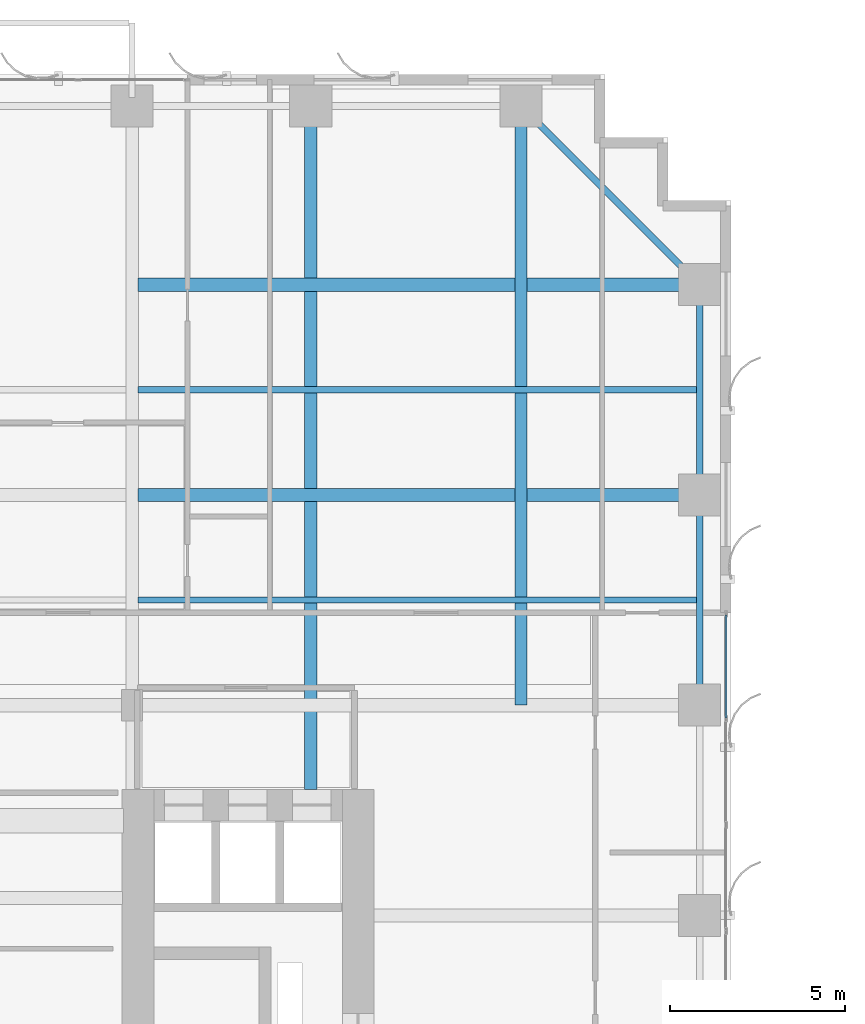
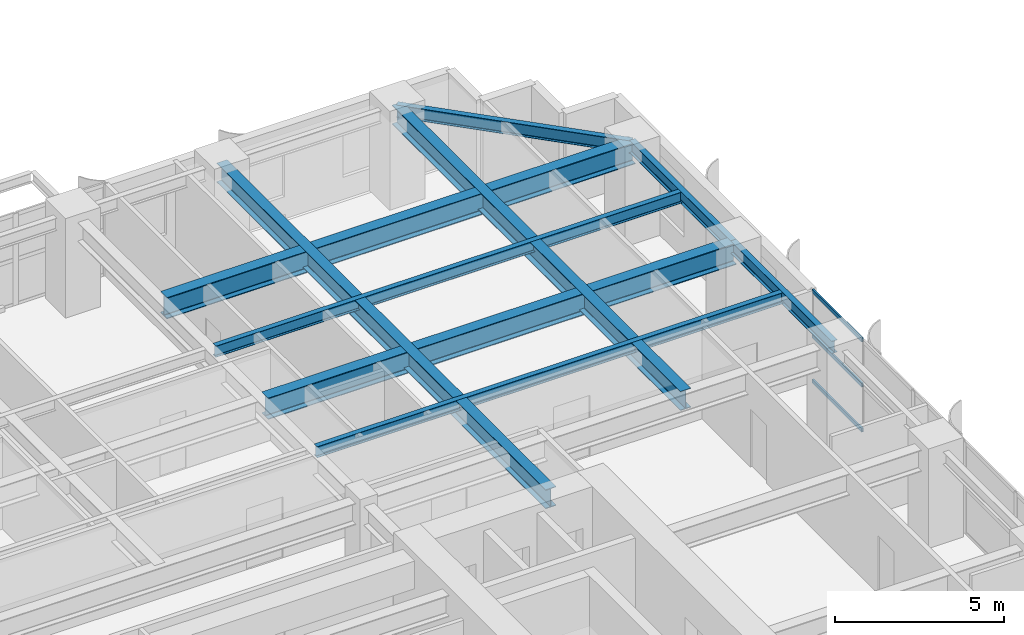
# One storey, part 12 of 26: 9 beams, 3 members, 1 element without a shape of its own.
"""IFC4 building model written with IfcOpenShell, lengths in metres."""

from ifc_helpers import new_model, si_unit, direction, frame, origin, origin_2d, place, context, subcontext, project, spatial, hollow_rectangle, i_section, extrude, source, transform, mapped, material, layer, layer_set, material_profile, profile_set, type_object, element, aggregate, save


model = new_model("IFC4")

# Units and contexts
model_context = context("Model", 3, precision=1e-05, world=origin(), true_north=direction((0.0, 1.0)))
body_context = subcontext(model_context, "Body", "Model", "MODEL_VIEW")
ifc_project = project(units=[si_unit("LENGTHUNIT", "METRE"), si_unit("AREAUNIT", "SQUARE_METRE"), si_unit("VOLUMEUNIT", "CUBIC_METRE"), si_unit("PLANEANGLEUNIT", "RADIAN"), si_unit("MASSUNIT", "GRAM", prefix="KILO")], contexts=[model_context])

# Site, building, storey
site_placement = place(None, origin())
site = spatial("IfcSite", under=ifc_project, at=site_placement, CompositionType="ELEMENT")
building_placement = place(site_placement, origin())
building = spatial("IfcBuilding", under=site, at=building_placement, Name="Khoralis Quay Care Tower", CompositionType="ELEMENT")
storey_placement = place(building_placement, frame((0.0, 0.0, 26.10009765625)))
storey = spatial("IfcBuildingStorey", under=building, at=storey_placement, Name="L06", CompositionType="ELEMENT", Elevation=26.10009765625)

# Beams
ifc_material_1 = material(Name="Steel S355", Category="steel")
ifc_material_profile_1 = material_profile(ifc_material_1, i_section(OverallWidth=0.18994140625, OverallDepth=0.449951171875, WebThickness=0.009521484375, FlangeThickness=0.0146484375, FilletRadius=0.02099609375, at=origin_2d()), Name="Steel S355")
ifc_profile_set_1 = profile_set([ifc_material_profile_1], Name="Steel S355")
beam_type_1 = type_object("IfcBeamType", Name="BM-IPE450", PredefinedType="SPANDREL", material=ifc_profile_set_1)
shared_shape_1 = source(origin(), body_context, "Body", "SweptSolid", [
    extrude(i_section(OverallWidth=0.18994140625, OverallDepth=0.449951171875, WebThickness=0.009521484375, FlangeThickness=0.0146484375, FilletRadius=0.02099609375, at=origin_2d()), origin(), (0.0, 0.0, 1.0), 6.0),
])
for number, where, z_axis, x_axis, name in (
    (1, (47.10009765625, 30.0, 3.094970703125), (0.0, 1.0, 0.0), (-1.0, 0.0, 0.0), "BM-TSP-L06-23"),
    (2, (47.10009765625, 36.0, 3.094970703125), (0.0, 1.0, 0.0), (-1.0, 0.0, 0.0), "BM-TSP-L06-24"),
):
    element("IfcBeam", number, at=place(storey_placement, frame(where, z_axis=z_axis, x_axis=x_axis)), inside=storey, type_object=beam_type_1, Name=name, PredefinedType="SPANDREL", context=body_context, shape_type="MappedRepresentation", body=[
        mapped(shared_shape_1, transform((0.0, 0.0, 0.0), scale=1.0)),
    ])
shared_shape_2 = source(origin(), body_context, "Body", "SweptSolid", [
    extrude(i_section(OverallWidth=0.18994140625, OverallDepth=0.449951171875, WebThickness=0.009521484375, FlangeThickness=0.0146484375, FilletRadius=0.02099609375, at=origin_2d()), origin(), (0.0, 0.0, 1.0), 7.212646484375),
])
beam_1_placement = place(storey_placement, frame((42.0, 47.10009765625, 3.094970703125), z_axis=(0.707106781187, -0.707106781187, 0.0), x_axis=(0.707106781187, 0.707106781187, 0.0)))
element("IfcBeam", 3, at=beam_1_placement, inside=storey, type_object=beam_type_1, Name="BM-TCR-L06-28", PredefinedType="SPANDREL", context=body_context, shape_type="MappedRepresentation", body=[
    mapped(shared_shape_2, transform((0.0, 0.0, 0.0), scale=1.0)),
])
ifc_material_profile_2 = material_profile(ifc_material_1, i_section(OverallWidth=0.381103515625, OverallDepth=0.77294921875, WebThickness=0.0166015625, FlangeThickness=0.027587890625, FilletRadius=0.02197265625, at=origin_2d()), Name="Steel S355")
ifc_profile_set_2 = profile_set([ifc_material_profile_2], Name="Steel S355")
beam_type_2 = type_object("IfcBeamType", Name="BM-W760X257", PredefinedType="BEAM", material=ifc_profile_set_2)
shared_shape_3 = source(origin(), body_context, "Body", "SweptSolid", [
    extrude(i_section(OverallWidth=0.381103515625, OverallDepth=0.77294921875, WebThickness=0.0166015625, FlangeThickness=0.027587890625, FilletRadius=0.02197265625, at=origin_2d()), origin(), (0.0, 0.0, 1.0), 16.03466796875),
])
for number, where, z_axis, x_axis, name in (
    (4, (31.0654296875, 36.0, 2.933349609375), (1.0, 0.0, 0.0), (0.0, 1.0, 0.0), "BM-TGXE-L06-360"),
    (5, (31.0654296875, 42.0, 2.933349609375), (1.0, 0.0, 0.0), (0.0, 1.0, 0.0), "BM-TGXE-L06-420"),
):
    element("IfcBeam", number, at=place(storey_placement, frame(where, z_axis=z_axis, x_axis=x_axis)), inside=storey, type_object=beam_type_2, Name=name, PredefinedType="BEAM", context=body_context, shape_type="MappedRepresentation", body=[
        mapped(shared_shape_3, transform((0.0, 0.0, 0.0), scale=1.0)),
    ])
ifc_material_profile_3 = material_profile(ifc_material_1, i_section(OverallWidth=0.35498046875, OverallDepth=0.695068359375, WebThickness=0.015380859375, FlangeThickness=0.02490234375, FilletRadius=0.02001953125, at=origin_2d()), Name="Steel S355")
ifc_profile_set_3 = profile_set([ifc_material_profile_3], Name="Steel S355")
beam_type_3 = type_object("IfcBeamType", Name="BM-W690X217", PredefinedType="BEAM", material=ifc_profile_set_3)
shared_shape_4 = source(origin(), body_context, "Body", "SweptSolid", [
    extrude(i_section(OverallWidth=0.35498046875, OverallDepth=0.695068359375, WebThickness=0.015380859375, FlangeThickness=0.02490234375, FilletRadius=0.02001953125, at=origin_2d()), origin(), (0.0, 0.0, 1.0), 17.10009765625),
])
beam_2_placement = place(storey_placement, frame((42.0, 30.0, 2.972412109375), z_axis=(0.0, 1.0, 0.0), x_axis=(-1.0, 0.0, 0.0)))
element("IfcBeam", 6, at=beam_2_placement, inside=storey, type_object=beam_type_3, Name="BM-TGYN-L06-420", PredefinedType="BEAM", context=body_context, shape_type="MappedRepresentation", body=[
    mapped(shared_shape_4, transform((0.0, 0.0, 0.0), scale=1.0)),
])
shared_shape_5 = source(origin(), body_context, "Body", "SweptSolid", [
    extrude(i_section(OverallWidth=0.35498046875, OverallDepth=0.695068359375, WebThickness=0.015380859375, FlangeThickness=0.02490234375, FilletRadius=0.02001953125, at=origin_2d()), origin(), (0.0, 0.0, 1.0), 19.502197265625),
])
beam_3_placement = place(storey_placement, frame((36.0, 27.597900390625, 2.972412109375), z_axis=(0.0, 1.0, 0.0), x_axis=(-1.0, 0.0, 0.0)))
element("IfcBeam", 7, at=beam_3_placement, inside=storey, type_object=beam_type_3, Name="BM-TGYN-L06-360", PredefinedType="BEAM", context=body_context, shape_type="MappedRepresentation", body=[
    mapped(shared_shape_5, transform((0.0, 0.0, 0.0), scale=1.0)),
])
ifc_material_profile_4 = material_profile(ifc_material_1, i_section(OverallWidth=0.177978515625, OverallDepth=0.406982421875, WebThickness=0.0078125, FlangeThickness=0.0126953125, FilletRadius=0.012939453125, at=origin_2d()), Name="Steel S355")
ifc_profile_set_4 = profile_set([ifc_material_profile_4], Name="Steel S355")
beam_type_4 = type_object("IfcBeamType", Name="BM-W410X60", PredefinedType="JOIST", material=ifc_profile_set_4)
shared_shape_6 = source(origin(), body_context, "Body", "SweptSolid", [
    extrude(i_section(OverallWidth=0.177978515625, OverallDepth=0.406982421875, WebThickness=0.0078125, FlangeThickness=0.0126953125, FilletRadius=0.012939453125, at=origin_2d()), origin(), (0.0, 0.0, 1.0), 15.95361328125),
])
for number, where, z_axis, x_axis, name in (
    (8, (31.0654296875, 33.0, 3.116455078125), (1.0, 0.0, 0.0), (0.0, 1.0, 0.0), "BM-TJS-L06-33"),
    (9, (31.0654296875, 39.0, 3.116455078125), (1.0, 0.0, 0.0), (0.0, 1.0, 0.0), "BM-TJS-L06-36"),
):
    element("IfcBeam", number, at=place(storey_placement, frame(where, z_axis=z_axis, x_axis=x_axis)), inside=storey, type_object=beam_type_4, Name=name, PredefinedType="JOIST", context=body_context, shape_type="MappedRepresentation", body=[
        mapped(shared_shape_6, transform((0.0, 0.0, 0.0), scale=1.0)),
    ])

# Curtain wall, members
ifc_material_2 = material(Name="Pale anodised aluminium", Category="aluminium")
ifc_layer = layer(ifc_material_2, 0.179931640625)
ifc_layer_set = layer_set([ifc_layer], Name="Pale anodised aluminium")
curtain_wall_type = type_object("IfcCurtainWallType", Name="CW-SYS-Z1", PredefinedType="NOTDEFINED", material=ifc_layer_set)
curtain_wall_placement = place(storey_placement, origin())
curtain_wall = element("IfcCurtainWall", 10, at=curtain_wall_placement, inside=storey, type_object=curtain_wall_type, Name="L06 Unitised Curtain Wall CW-L06-P1-E5", PredefinedType="NOTDEFINED")
ifc_material_profile_5 = material_profile(ifc_material_2, hollow_rectangle(XDim=0.06005859375, YDim=0.139892578125, WallThickness=0.00390625, at=origin_2d()), Name="Pale anodised aluminium")
ifc_profile_set_5 = profile_set([ifc_material_profile_5], Name="Pale anodised aluminium")
member_type = type_object("IfcMemberType", Name="CW-TRN-140", PredefinedType="USERDEFINED", material=ifc_profile_set_5)
shared_shape_7 = source(origin(), body_context, "Body", "SweptSolid", [
    extrude(hollow_rectangle(XDim=0.06005859375, YDim=0.139892578125, WallThickness=0.00390625, at=origin_2d()), origin(), (0.0, 0.0, 1.0), 2.93798828125),
])
member_1_placement = place(storey_placement, frame((47.85009765625, 29.64208984375, 0.02978515625), z_axis=(0.0, 1.0, 0.0), x_axis=(-1.0, 0.0, 0.0)))
member_1 = element("IfcMember", 11, at=member_1_placement, type_object=member_type, Name="CW1 transom 5.1", ObjectType="TRANSOM", PredefinedType="USERDEFINED", context=body_context, shape_type="MappedRepresentation", body=[
    mapped(shared_shape_7, transform((0.0, 0.0, 0.0), scale=1.0)),
])
member_2_placement = place(storey_placement, frame((47.85009765625, 29.64208984375, 1.659912109375), z_axis=(0.0, 1.0, 0.0), x_axis=(-1.0, 0.0, 0.0)))
member_2 = element("IfcMember", 12, at=member_2_placement, type_object=member_type, Name="CW1 transom 5.2", ObjectType="TRANSOM", PredefinedType="USERDEFINED", context=body_context, shape_type="MappedRepresentation", body=[
    mapped(shared_shape_7, transform((0.0, 0.0, 0.0), scale=1.0)),
])
member_3_placement = place(storey_placement, frame((47.85009765625, 29.64208984375, 3.289794921875), z_axis=(0.0, 1.0, 0.0), x_axis=(-1.0, 0.0, 0.0)))
member_3 = element("IfcMember", 13, at=member_3_placement, type_object=member_type, Name="CW1 transom 5.3", ObjectType="TRANSOM", PredefinedType="USERDEFINED", context=body_context, shape_type="MappedRepresentation", body=[
    mapped(shared_shape_7, transform((0.0, 0.0, 0.0), scale=1.0)),
])
aggregate(curtain_wall, [member_1, member_2, member_3])

save(model, "model.ifc")
